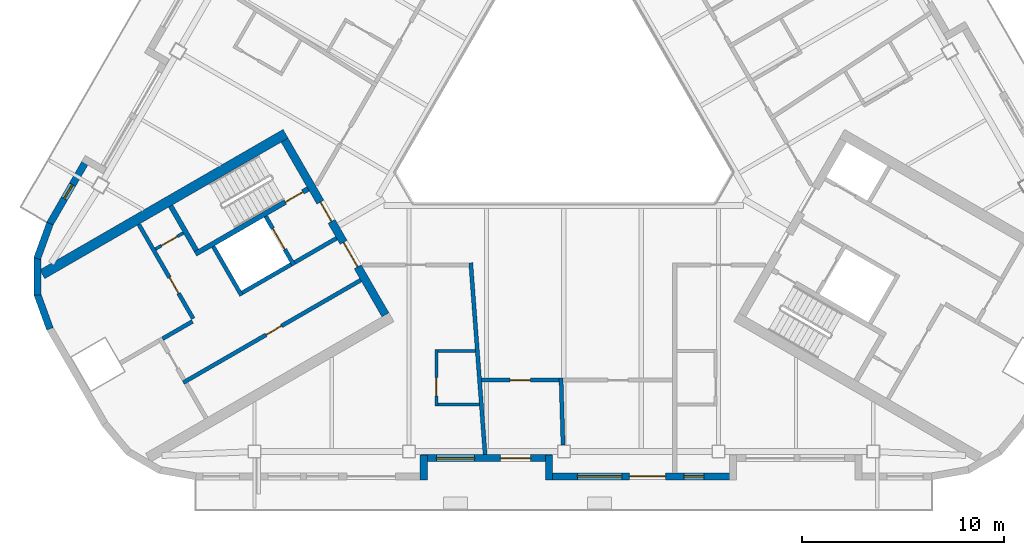
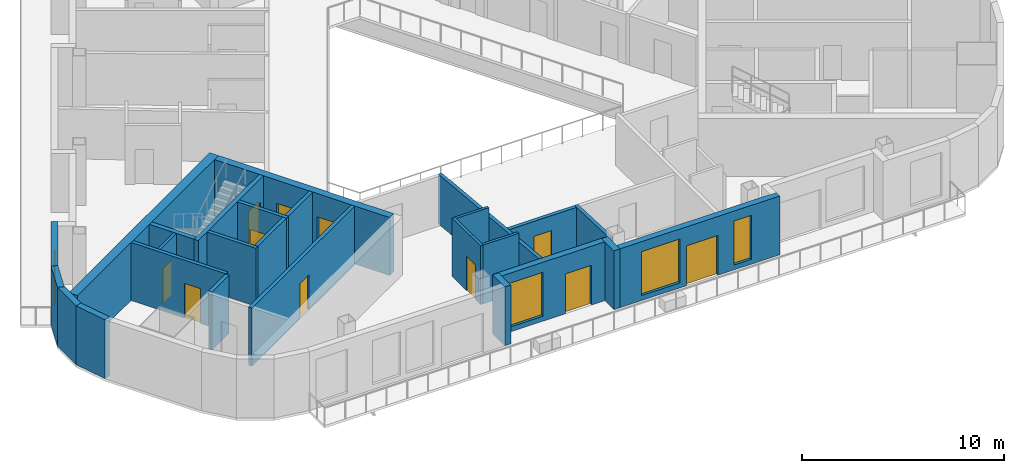
# One storey, part 3 of 14: 26 walls, 11 doors, 4 windows, 15 openings.
"""IFC4 building model written with IfcOpenShell, lengths in metres."""

import ifcopenshell
import ifcopenshell.guid

model = None  # the IFC model being written
_history = None  # IfcOwnerHistory: only IFC2X3 demands one
_inside = {}  # id of a spatial element -> (the spatial element, [elements in it])
_under = {}  # id of a project, library or spatial element -> (it, [spatial elements below it])
_declared = {}  # id of a project -> (the project, [libraries it declares])
_typed = {}  # id of a type object -> (the type object, [elements of that type])
_made_of = {}  # id of a material, layer set ... -> (it, [elements and type objects made of it])


def new_model(schema):
    """Start an empty IFC model of exactly this schema.

    Asked for "IFC4X3", IfcOpenShell would pick the latest addendum, in which some entities
    have other attributes; the version numbers below select the first issue.
    IFC2X3 requires an IfcOwnerHistory on every rooted entity: one is made here for all.
    """
    global model, _history
    if schema == "IFC4X3":
        model = ifcopenshell.file(schema_version=(4, 3, 0, 0))
    else:
        model = ifcopenshell.file(schema=schema)
    _inside.clear()
    _under.clear()
    _declared.clear()
    _typed.clear()
    _made_of.clear()
    _history = None
    if model.schema == "IFC2X3":
        org = make("IfcOrganization", Name="unknown")
        user = make(
            "IfcPersonAndOrganization",
            ThePerson=make("IfcPerson", FamilyName="unknown"),
            TheOrganization=org,
        )
        app = make(
            "IfcApplication",
            ApplicationDeveloper=org,
            Version="unknown",
            ApplicationFullName="unknown",
            ApplicationIdentifier="unknown",
        )
        _history = make(
            "IfcOwnerHistory",
            OwningUser=user,
            OwningApplication=app,
            ChangeAction="ADDED",
            CreationDate=0,
        )
    return model


def make(cls, **values):
    """One entity of the class cls with the attributes given. An attribute that is None is left unset."""
    return model.create_entity(
        cls, **{name: value for name, value in values.items() if value is not None}
    )


def rooted(cls, **values):
    """An entity with a GlobalId (a new one), such as an element, a storey or a relation."""
    return make(cls, GlobalId=ifcopenshell.guid.new(), OwnerHistory=_history, **values)


def si_unit(unit_type, name, prefix=None):
    """IfcSIUnit, for example si_unit("LENGTHUNIT", "METRE", prefix="MILLI")."""
    return make("IfcSIUnit", UnitType=unit_type, Prefix=prefix, Name=name)


def assignment(units):
    """IfcUnitAssignment: the units of a project."""
    return None if units is None else make("IfcUnitAssignment", Units=units)


def point(xyz):
    """IfcCartesianPoint."""
    return None if xyz is None else make("IfcCartesianPoint", Coordinates=xyz)


def direction(xyz):
    """IfcDirection."""
    return None if xyz is None else make("IfcDirection", DirectionRatios=xyz)


def frame(location, z_axis=None, x_axis=None):
    """IfcAxis2Placement3D, a coordinate frame: its origin and axes. An axis left out is left unset."""
    return make(
        "IfcAxis2Placement3D",
        Location=point(location),
        Axis=direction(z_axis),
        RefDirection=direction(x_axis),
    )


def frame_2d(location, x_axis=None):
    """IfcAxis2Placement2D, a coordinate frame in the plane: its origin and x axis."""
    return make(
        "IfcAxis2Placement2D", Location=point(location), RefDirection=direction(x_axis)
    )


def origin():
    """The frame at (0, 0, 0) with its axes left unset."""
    return frame((0.0, 0.0, 0.0))


def place(relative_to, where):
    """IfcLocalPlacement: puts the frame where relative to a parent placement (None: the world)."""
    return make(
        "IfcLocalPlacement", PlacementRelTo=relative_to, RelativePlacement=where
    )


def context(
    kind, dimensions, precision=None, world=None, true_north=None, identifier=None
):
    """IfcGeometricRepresentationContext, for example the 3D "Model" context."""
    return make(
        "IfcGeometricRepresentationContext",
        ContextIdentifier=identifier,
        ContextType=kind,
        CoordinateSpaceDimension=dimensions,
        Precision=precision,
        WorldCoordinateSystem=world,
        TrueNorth=true_north,
    )


def subcontext(parent, identifier, kind, view, scale=None):
    """IfcGeometricRepresentationSubContext, for example "Body" below "Model"."""
    return make(
        "IfcGeometricRepresentationSubContext",
        ContextIdentifier=identifier,
        ContextType=kind,
        ParentContext=parent,
        TargetScale=scale,
        TargetView=view,
    )


def project(units=None, contexts=None):
    """IfcProject with its units and contexts."""
    return rooted(
        "IfcProject",
        Name="project",
        RepresentationContexts=contexts,
        UnitsInContext=assignment(units),
    )


def spatial(cls, under=None, at=None, **own):
    """A site, building, storey or space (cls), placed at a placement, below another one or the project."""
    s = rooted(cls, ObjectPlacement=at, **own)
    if under is not None:
        _under.setdefault(under.id(), (under, []))[1].append(s)
    return s


def profile(cls, at=None, kind="AREA", **sizes):
    """A parametric profile (cls). Its sizes go by their IFC names, for example OverallWidth=200.0."""
    return make(cls, ProfileType=kind, Position=at, **sizes)


def rectangle(**sizes):
    """IfcRectangleProfileDef."""
    return profile("IfcRectangleProfileDef", **sizes)


def extrude(swept, where, along, depth):
    """IfcExtrudedAreaSolid: the profile swept, set in the frame where, extruded along a direction by depth."""
    return make(
        "IfcExtrudedAreaSolid",
        SweptArea=swept,
        Position=where,
        ExtrudedDirection=direction(along),
        Depth=depth,
    )


def shape(context_of_items, identifier, shape_type, items):
    """IfcShapeRepresentation: the items that make up one representation, for example the "Body"."""
    return make(
        "IfcShapeRepresentation",
        ContextOfItems=context_of_items,
        RepresentationIdentifier=identifier,
        RepresentationType=shape_type,
        Items=items,
    )


def material(Name=None, Category=None):
    """IfcMaterial."""
    return make("IfcMaterial", Name=Name, Category=Category)


def layer(
    of_material, thickness, ventilated=None, Name=None, Category=None, Priority=None
):
    """IfcMaterialLayer: one layer of a wall or slab, of a material (None: an air gap)."""
    return make(
        "IfcMaterialLayer",
        Material=of_material,
        LayerThickness=thickness,
        IsVentilated=ventilated,
        Name=Name,
        Category=Category,
        Priority=Priority,
    )


def layer_set(layers, Name=None):
    """IfcMaterialLayerSet."""
    return make("IfcMaterialLayerSet", MaterialLayers=layers, LayerSetName=Name)


def made_of(thing, what):
    """Note that an element or type object is made of a material, layer set ...; save() writes the relation."""
    if what is not None:
        _made_of.setdefault(what.id(), (what, []))[1].append(thing)
    return thing


def type_object(cls, material=None, **own):
    """A type object (cls), such as IfcWallType, which elements share."""
    return made_of(rooted(cls, **own), material)


def element(
    cls,
    number,
    at=None,
    inside=None,
    cuts=None,
    type_object=None,
    material=None,
    context=None,
    identifier="Body",
    shape_type=None,
    held_by="IfcProductDefinitionShape",
    body=None,
    shapes=None,
    **own,
):
    """One element of the class cls, such as IfcWall. Its Tag is "e" and its number.

    at: its placement. inside: the storey or other place that contains it. cuts: it is an
    opening in that element (IfcRelVoidsElement). A single representation is given by context,
    identifier, shape_type and body (its items); several are given by shapes. held_by: the class
    of the entity that holds the representations. save() writes the other relations.
    """
    e = rooted(cls, Tag="e%d" % number, ObjectPlacement=at, **own)
    if body is not None:
        shapes = [shape(context, identifier, shape_type, body)]
    if shapes is not None:
        e.Representation = make(held_by, Representations=shapes)
    if inside is not None:
        _inside.setdefault(inside.id(), (inside, []))[1].append(e)
    if cuts is not None:
        rooted(
            "IfcRelVoidsElement", RelatingBuildingElement=cuts, RelatedOpeningElement=e
        )
    if type_object is not None:
        _typed.setdefault(type_object.id(), (type_object, []))[1].append(e)
    return made_of(e, material)


def fill(opening, filler):
    """IfcRelFillsElement: the door or window that sits in an opening."""
    return rooted(
        "IfcRelFillsElement",
        RelatingOpeningElement=opening,
        RelatedBuildingElement=filler,
    )


def aggregate(whole, parts):
    """IfcRelAggregates: a whole, such as a stair, and the parts it consists of."""
    return rooted("IfcRelAggregates", RelatingObject=whole, RelatedObjects=parts)


def save(model, path):
    """Write the relations noted so far, then the file.

    IfcRelAggregates (storeys below a building ...), IfcRelContainedInSpatialStructure (elements
    in a storey), IfcRelDefinesByType, IfcRelAssociatesMaterial and IfcRelDeclares: one each for
    every whole, place, type object, material and project.
    """
    for whole, parts in _under.values():
        aggregate(whole, parts)
    for where, things in _inside.values():
        rooted(
            "IfcRelContainedInSpatialStructure",
            RelatedElements=things,
            RelatingStructure=where,
        )
    for kind, things in _typed.values():
        rooted("IfcRelDefinesByType", RelatedObjects=things, RelatingType=kind)
    for what, things in _made_of.values():
        rooted("IfcRelAssociatesMaterial", RelatedObjects=things, RelatingMaterial=what)
    for by, libraries in _declared.values():
        rooted("IfcRelDeclares", RelatingContext=by, RelatedDefinitions=libraries)
    model.write(path)


model = new_model("IFC4")

# Units and contexts
model_context = context("Model", 3, precision=1e-05, world=origin(), true_north=direction((0.0, 1.0)))
body_context = subcontext(model_context, "Body", "Model", "MODEL_VIEW")
ifc_project = project(units=[si_unit("LENGTHUNIT", "METRE"), si_unit("AREAUNIT", "SQUARE_METRE"), si_unit("VOLUMEUNIT", "CUBIC_METRE"), si_unit("PLANEANGLEUNIT", "RADIAN"), si_unit("MASSUNIT", "GRAM", prefix="KILO")], contexts=[model_context])

# Site, building, storey
site_placement = place(None, origin())
site = spatial("IfcSite", under=ifc_project, at=site_placement, CompositionType="ELEMENT")
building_placement = place(site_placement, origin())
building = spatial("IfcBuilding", under=site, at=building_placement, Name="Apuvela Tower Hotel", CompositionType="ELEMENT")
storey_placement = place(building_placement, frame((0.0, 0.0, 261.5)))
storey = spatial("IfcBuildingStorey", under=building, at=storey_placement, Name="L64", CompositionType="ELEMENT", Elevation=261.5)

# Wall, openings, doors
ifc_material_1 = material(Name="Concrete C50/60", Category="concrete")
ifc_layer_1 = layer(ifc_material_1, 0.39990234375)
ifc_layer_set_1 = layer_set([ifc_layer_1], Name="COR-WALL-CORE-400")
wall_type_1 = type_object("IfcWallType", Name="COR-WALL-CORE-400", PredefinedType="SHEAR", material=ifc_layer_set_1)
wall_1_placement = place(storey_placement, frame((-13.844970703125, -2.219970703125, 0.0), z_axis=(0.0, 0.0, 1.0), x_axis=(0.500004234368, -0.866022959057, 0.0)))
wall_1 = element("IfcWall", 1, at=wall_1_placement, inside=storey, type_object=wall_type_1, Name="Core wall SW", PredefinedType="SHEAR", context=body_context, shape_type="SweptSolid", body=[
    extrude(rectangle(XDim=10.0, YDim=0.39990234375, at=frame_2d((5.0, 0.0))), origin(), (0.0, 0.0, 1.0), 3.5),
])
opening_1_placement = place(wall_1_placement, frame((3.550048828125, 0.0, 0.0)))
opening_1 = element("IfcOpeningElement", 2, at=opening_1_placement, cuts=wall_1, Name="Opening W-FD", PredefinedType="OPENING", context=body_context, shape_type="SweptSolid", body=[
    extrude(rectangle(XDim=1.10009765625, YDim=2.10009765625, at=frame_2d((0.550048828125, 1.050048828125))), frame((0.0, 0.2099609375, 0.0), z_axis=(0.0, -1.0, 0.0), x_axis=(1.0, 0.0, 0.0)), (0.0, 0.0, 1.0), 0.419921875),
])
opening_2_placement = place(wall_1_placement, frame((5.85009765625, 0.0, 0.0)))
opening_2 = element("IfcOpeningElement", 3, at=opening_2_placement, cuts=wall_1, Name="Opening W-GD", PredefinedType="OPENING", context=body_context, shape_type="SweptSolid", body=[
    extrude(rectangle(XDim=1.39990234375, YDim=2.10009765625, at=frame_2d((0.699951171875, 1.050048828125))), frame((0.0, 0.2099609375, 0.0), z_axis=(0.0, -1.0, 0.0), x_axis=(1.0, 0.0, 0.0)), (0.0, 0.0, 1.0), 0.419921875),
])
ifc_material_2 = material(Name="Steel fire door, powder coated", Category="steel")
door_type_1 = type_object("IfcDoorType", Name="COR-FD-1100", OperationType="NOTDEFINED", PredefinedType="DOOR", material=ifc_material_2)
door_1_placement = place(opening_1_placement, frame((1.10009765625, 0.0, 0.0), z_axis=(0.0, 0.0, 1.0), x_axis=(-1.0, 0.0, 0.0)))
door_1 = element("IfcDoor", 4, at=door_1_placement, inside=storey, type_object=door_type_1, Name="Firefighting lobby door W-FD", OperationType="SINGLE_SWING_LEFT", OverallHeight=2.10009765625, OverallWidth=1.10009765625, PredefinedType="DOOR", context=body_context, shape_type="SweptSolid", body=[
    extrude(rectangle(XDim=1.10009765625, YDim=2.10009765625, at=frame_2d((0.550048828125, 1.050048828125))), frame((0.0, 0.02490234375, 0.0), z_axis=(0.0, -1.0, 0.0), x_axis=(1.0, 0.0, 0.0)), (0.0, 0.0, 1.0), 0.050048828125),
])
fill(opening_1, door_1)
ifc_material_3 = material(Name="Glazed steel fire door", Category="steel")
door_type_2 = type_object("IfcDoorType", Name="COR-GD-1400", OperationType="DOUBLE_DOOR_SINGLE_SWING", PredefinedType="DOOR", material=ifc_material_3)
door_2_placement = place(opening_2_placement, frame((1.39990234375, 0.0, 0.0), z_axis=(0.0, 0.0, 1.0), x_axis=(-1.0, 0.0, 0.0)))
door_2 = element("IfcDoor", 5, at=door_2_placement, inside=storey, type_object=door_type_2, Name="Lift lobby door W-GD", OperationType="DOUBLE_DOOR_SINGLE_SWING", OverallHeight=2.10009765625, OverallWidth=1.39990234375, PredefinedType="DOOR", context=body_context, shape_type="SweptSolid", body=[
    extrude(rectangle(XDim=1.39990234375, YDim=2.10009765625, at=frame_2d((0.699951171875, 1.050048828125))), frame((0.0, 0.02490234375, 0.0), z_axis=(0.0, -1.0, 0.0), x_axis=(1.0, 0.0, 0.0)), (0.0, 0.0, 1.0), 0.050048828125),
])
fill(opening_2, door_2)

# Wall
ifc_layer_2 = layer(ifc_material_1, 0.5)
ifc_layer_set_2 = layer_set([ifc_layer_2], Name="COR-WALL-CORE-500")
wall_type_2 = type_object("IfcWallType", Name="COR-WALL-CORE-500", PredefinedType="SHEAR", material=ifc_layer_set_2)
wall_2_placement = place(storey_placement, frame((-13.796630859375, -1.9033203125, 0.0), z_axis=(0.0, 0.0, 1.0), x_axis=(-0.86602744543, -0.49999646375, 0.0)))
element("IfcWall", 6, at=wall_2_placement, inside=storey, type_object=wall_type_2, Name="Core wall SW", PredefinedType="SHEAR", context=body_context, shape_type="SweptSolid", body=[
    extrude(rectangle(XDim=13.93408203125, YDim=0.5, at=frame_2d((6.967041015625, 0.0))), origin(), (0.0, 0.0, 1.0), 3.5),
])

# Wall, opening, door
ifc_material_4 = material(Name="Blockwork 150 mm plastered", Category="masonry")
ifc_layer_3 = layer(ifc_material_4, 0.14990234375)
ifc_layer_set_3 = layer_set([ifc_layer_3], Name="COR-WALL-PART-150")
wall_type_3 = type_object("IfcWallType", Name="COR-WALL-PART-150", PredefinedType="PARTITIONING", material=ifc_layer_set_3)
wall_3_placement = place(storey_placement, frame((-18.866455078125, -6.822265625, 0.0), z_axis=(0.0, 0.0, 1.0), x_axis=(-0.866028054938, -0.499995408039, 0.0)))
wall_3 = element("IfcWall", 7, at=wall_3_placement, inside=storey, type_object=wall_type_3, Name="Partition SW", PredefinedType="PARTITIONING", context=body_context, shape_type="SweptSolid", body=[
    extrude(rectangle(XDim=1.60009765625, YDim=0.14990234375, at=frame_2d((0.800048828125, 0.0))), origin(), (0.0, 0.0, 1.0), 3.5),
])
opening_3_placement = place(wall_3_placement, frame((0.35009765625, 0.0, 0.0)))
opening_3 = element("IfcOpeningElement", 8, at=opening_3_placement, cuts=wall_3, Name="Opening W-RD", PredefinedType="OPENING", context=body_context, shape_type="SweptSolid", body=[
    extrude(rectangle(XDim=0.89990234375, YDim=2.10009765625, at=frame_2d((0.449951171875, 1.050048828125))), frame((0.0, 0.0849609375, 0.0), z_axis=(0.0, -1.0, 0.0), x_axis=(1.0, 0.0, 0.0)), (0.0, 0.0, 1.0), 0.169921875),
])
ifc_material_5 = material(Name="Steel access door, powder coated", Category="steel")
door_type_3 = type_object("IfcDoorType", Name="COR-RD-900", OperationType="NOTDEFINED", PredefinedType="DOOR", material=ifc_material_5)
door_3_placement = place(opening_3_placement, frame((0.89990234375, 0.0, 0.0), z_axis=(0.0, 0.0, 1.0), x_axis=(-1.0, 0.0, 0.0)))
door_3 = element("IfcDoor", 9, at=door_3_placement, inside=storey, type_object=door_type_3, Name="Riser door W-RD", OperationType="SINGLE_SWING_RIGHT", OverallHeight=2.10009765625, OverallWidth=0.89990234375, PredefinedType="DOOR", context=body_context, shape_type="SweptSolid", body=[
    extrude(rectangle(XDim=0.89990234375, YDim=2.10009765625, at=frame_2d((0.449951171875, 1.050048828125))), frame((0.0, 0.02490234375, 0.0), z_axis=(0.0, -1.0, 0.0), x_axis=(1.0, 0.0, 0.0)), (0.0, 0.0, 1.0), 0.050048828125),
])
fill(opening_3, door_3)

ifc_material_6 = material(Name="Blockwork 200 mm plastered", Category="masonry")
ifc_layer_4 = layer(ifc_material_6, 0.199951171875)
ifc_layer_set_4 = layer_set([ifc_layer_4], Name="COR-WALL-PART-200")
wall_type_4 = type_object("IfcWallType", Name="COR-WALL-PART-200", PredefinedType="PARTITIONING", material=ifc_layer_set_4)
wall_4_placement = place(storey_placement, frame((-21.076171875, -6.39501953125, 0.0), z_axis=(0.0, 0.0, 1.0), x_axis=(0.50001468107, -0.866016927499, 0.0)))
wall_4 = element("IfcWall", 10, at=wall_4_placement, inside=storey, type_object=wall_type_4, Name="Partition SW", PredefinedType="PARTITIONING", context=body_context, shape_type="SweptSolid", body=[
    extrude(rectangle(XDim=5.399658203125, YDim=0.199951171875, at=frame_2d((2.69970703125, 0.0))), origin(), (0.0, 0.0, 1.0), 3.5),
])
opening_4_placement = place(wall_4_placement, frame((3.050048828125, 0.0, 0.0)))
opening_4 = element("IfcOpeningElement", 11, at=opening_4_placement, cuts=wall_4, Name="Opening W-RS1", PredefinedType="OPENING", context=body_context, shape_type="SweptSolid", body=[
    extrude(rectangle(XDim=0.89990234375, YDim=2.10009765625, at=frame_2d((0.449951171875, 1.050048828125))), frame((0.0, 0.10986328125, 0.0), z_axis=(0.0, -1.0, 0.0), x_axis=(1.0, 0.0, 0.0)), (0.0, 0.0, 1.0), 0.219970703125),
])
door_type_4 = type_object("IfcDoorType", Name="COR-DR-900", OperationType="NOTDEFINED", PredefinedType="DOOR", material=ifc_material_2)
door_4_placement = place(opening_4_placement, frame((0.89990234375, 0.0, 0.0), z_axis=(0.0, 0.0, 1.0), x_axis=(-1.0, 0.0, 0.0)))
door_4 = element("IfcDoor", 12, at=door_4_placement, inside=storey, type_object=door_type_4, Name="Store door W-RS1", OperationType="SINGLE_SWING_LEFT", OverallHeight=2.10009765625, OverallWidth=0.89990234375, PredefinedType="DOOR", context=body_context, shape_type="SweptSolid", body=[
    extrude(rectangle(XDim=0.89990234375, YDim=2.10009765625, at=frame_2d((0.449951171875, 1.050048828125))), frame((0.0, 0.02490234375, 0.0), z_axis=(0.0, -1.0, 0.0), x_axis=(1.0, 0.0, 0.0)), (0.0, 0.0, 1.0), 0.050048828125),
])
fill(opening_4, door_4)

# Wall
ifc_layer_5 = layer(ifc_material_1, 0.199951171875)
ifc_layer_set_5 = layer_set([ifc_layer_5], Name="COR-WALL-SHAFT-200")
wall_type_5 = type_object("IfcWallType", Name="COR-WALL-SHAFT-200", PredefinedType="SHEAR", material=ifc_layer_set_5)
wall_5_placement = place(storey_placement, frame((-17.38134765625, -7.49462890625, 0.0), z_axis=(0.0, 0.0, 1.0), x_axis=(0.500011755427, -0.866018616679, 0.0)))
element("IfcWall", 13, at=wall_5_placement, inside=storey, type_object=wall_type_5, Name="Shaft wall SW", PredefinedType="SHEAR", context=body_context, shape_type="SweptSolid", body=[
    extrude(rectangle(XDim=2.80029296875, YDim=0.199951171875, at=frame_2d((1.400146484375, 0.0))), origin(), (0.0, 0.0, 1.0), 3.5),
])

# Wall, opening, door
wall_6_placement = place(storey_placement, frame((-14.783203125, -5.99462890625, 0.0), z_axis=(0.0, 0.0, 1.0), x_axis=(0.49994636267, -0.866056369097, 0.0)))
wall_6 = element("IfcWall", 14, at=wall_6_placement, inside=storey, type_object=wall_type_5, Name="Shaft wall SW", PredefinedType="SHEAR", context=body_context, shape_type="SweptSolid", body=[
    extrude(rectangle(XDim=2.800048828125, YDim=0.199951171875, at=frame_2d((1.39990234375, 0.0))), origin(), (0.0, 0.0, 1.0), 3.5),
])
opening_5_placement = place(wall_6_placement, frame((0.699951171875, 0.0, 0.0)))
opening_5 = element("IfcOpeningElement", 15, at=opening_5_placement, cuts=wall_6, Name="Opening W-LD-FS2", PredefinedType="OPENING", context=body_context, shape_type="SweptSolid", body=[
    extrude(rectangle(XDim=1.199951171875, YDim=2.10009765625, at=frame_2d((0.60009765625, 1.050048828125))), frame((0.0, 0.10986328125, 0.0), z_axis=(0.0, -1.0, 0.0), x_axis=(1.0, 0.0, 0.0)), (0.0, 0.0, 1.0), 0.219970703125),
])
ifc_material_7 = material(Name="Stainless steel lift landing door", Category="steel")
door_type_5 = type_object("IfcDoorType", Name="COR-LD-1200", OperationType="DOUBLE_DOOR_SLIDING", PredefinedType="DOOR", material=ifc_material_7)
door_5_placement = place(opening_5_placement, origin())
door_5 = element("IfcDoor", 16, at=door_5_placement, inside=storey, type_object=door_type_5, Name="Lift landing door W-LD-FS2", OperationType="DOUBLE_DOOR_SLIDING", OverallHeight=2.10009765625, OverallWidth=1.199951171875, PredefinedType="DOOR", context=body_context, shape_type="SweptSolid", body=[
    extrude(rectangle(XDim=1.199951171875, YDim=2.10009765625, at=frame_2d((0.60009765625, 1.050048828125))), frame((0.0, 0.02490234375, 0.0), z_axis=(0.0, -1.0, 0.0), x_axis=(1.0, 0.0, 0.0)), (0.0, 0.0, 1.0), 0.050048828125),
])
fill(opening_5, door_5)

# Walls
wall_7_placement = place(storey_placement, frame((-13.519775390625, -8.383056640625, 0.0), z_axis=(0.0, 0.0, 1.0), x_axis=(-0.866034573852, -0.49998411664, 0.0)))
element("IfcWall", 17, at=wall_7_placement, inside=storey, type_object=wall_type_5, Name="Shaft wall SW", PredefinedType="SHEAR", context=body_context, shape_type="SweptSolid", body=[
    extrude(rectangle(XDim=2.7998046875, YDim=0.199951171875, at=frame_2d((1.39990234375, 0.0))), origin(), (0.0, 0.0, 1.0), 3.5),
])
wall_8_placement = place(storey_placement, frame((-11.26806640625, -7.0830078125, 0.0), z_axis=(0.0, 0.0, 1.0), x_axis=(-0.866050077142, -0.499957262057, 0.0)))
element("IfcWall", 18, at=wall_8_placement, inside=storey, type_object=wall_type_5, Name="Shaft wall SW", PredefinedType="SHEAR", context=body_context, shape_type="SweptSolid", body=[
    extrude(rectangle(XDim=2.400146484375, YDim=0.199951171875, at=frame_2d((1.2001953125, 0.0))), origin(), (0.0, 0.0, 1.0), 3.5),
])

# Wall, opening, door
wall_9_placement = place(storey_placement, frame((-10.068115234375, -9.16162109375, 0.0), z_axis=(0.0, 0.0, 1.0), x_axis=(-0.866032725843, -0.499987317609, 0.0)))
wall_9 = element("IfcWall", 19, at=wall_9_placement, inside=storey, type_object=wall_type_5, Name="Shaft wall SW", PredefinedType="SHEAR", context=body_context, shape_type="SweptSolid", body=[
    extrude(rectangle(XDim=10.159912109375, YDim=0.199951171875, at=frame_2d((5.080078125, 0.0))), origin(), (0.0, 0.0, 1.0), 3.5),
])
opening_6_placement = place(wall_9_placement, frame((4.530029296875, 0.0, 0.0)))
opening_6 = element("IfcOpeningElement", 20, at=opening_6_placement, cuts=wall_9, Name="Opening W-RE1", PredefinedType="OPENING", context=body_context, shape_type="SweptSolid", body=[
    extrude(rectangle(XDim=0.89990234375, YDim=2.10009765625, at=frame_2d((0.449951171875, 1.050048828125))), frame((0.0, 0.10986328125, 0.0), z_axis=(0.0, -1.0, 0.0), x_axis=(1.0, 0.0, 0.0)), (0.0, 0.0, 1.0), 0.219970703125),
])
door_6_placement = place(opening_6_placement, origin())
door_6 = element("IfcDoor", 21, at=door_6_placement, inside=storey, type_object=door_type_4, Name="Store door W-RE1", OperationType="SINGLE_SWING_LEFT", OverallHeight=2.10009765625, OverallWidth=0.89990234375, PredefinedType="DOOR", context=body_context, shape_type="SweptSolid", body=[
    extrude(rectangle(XDim=0.89990234375, YDim=2.10009765625, at=frame_2d((0.449951171875, 1.050048828125))), frame((0.0, 0.02490234375, 0.0), z_axis=(0.0, -1.0, 0.0), x_axis=(1.0, 0.0, 0.0)), (0.0, 0.0, 1.0), 0.050048828125),
])
fill(opening_6, door_6)

# Wall
wall_10_placement = place(storey_placement, frame((-18.412841796875, -11.2080078125, 0.0), z_axis=(0.0, 0.0, 1.0), x_axis=(-0.866038183914, -0.499977863513, 0.0)))
element("IfcWall", 22, at=wall_10_placement, inside=storey, type_object=wall_type_5, Name="Shaft wall SW", PredefinedType="SHEAR", context=body_context, shape_type="SweptSolid", body=[
    extrude(rectangle(XDim=1.7099609375, YDim=0.199951171875, at=frame_2d((0.85498046875, 0.0))), origin(), (0.0, 0.0, 1.0), 3.5),
])

# Wall, opening, door
ifc_layer_6 = layer(ifc_material_1, 0.25)
ifc_layer_set_6 = layer_set([ifc_layer_6], Name="COR-WALL-STAIR-250")
wall_type_6 = type_object("IfcWallType", Name="COR-WALL-STAIR-250", PredefinedType="SHEAR", material=ifc_layer_set_6)
wall_11_placement = place(storey_placement, frame((-12.6806640625, -4.636474609375, 0.0), z_axis=(0.0, 0.0, 1.0), x_axis=(-0.866021702275, -0.500006411147, 0.0)))
wall_11 = element("IfcWall", 23, at=wall_11_placement, inside=storey, type_object=wall_type_6, Name="Stair wall SW", PredefinedType="SHEAR", context=body_context, shape_type="SweptSolid", body=[
    extrude(rectangle(XDim=6.4501953125, YDim=0.25, at=frame_2d((3.22509765625, 0.0))), origin(), (0.0, 0.0, 1.0), 3.5),
])
opening_7_placement = place(wall_11_placement, frame((0.300048828125, 0.0, 0.0)))
opening_7 = element("IfcOpeningElement", 24, at=opening_7_placement, cuts=wall_11, Name="Opening W-SD", PredefinedType="OPENING", context=body_context, shape_type="SweptSolid", body=[
    extrude(rectangle(XDim=1.0, YDim=2.10009765625, at=frame_2d((0.5, 1.050048828125))), frame((0.0, 0.135009765625, 0.0), z_axis=(0.0, -1.0, 0.0), x_axis=(1.0, 0.0, 0.0)), (0.0, 0.0, 1.0), 0.27001953125),
])
door_type_6 = type_object("IfcDoorType", Name="COR-SD-1000", OperationType="NOTDEFINED", PredefinedType="DOOR", material=ifc_material_2)
door_7_placement = place(opening_7_placement, frame((1.0, 0.0, 0.0), z_axis=(0.0, 0.0, 1.0), x_axis=(-1.0, 0.0, 0.0)))
door_7 = element("IfcDoor", 25, at=door_7_placement, inside=storey, type_object=door_type_6, Name="Stair door W-SD", OperationType="SINGLE_SWING_LEFT", OverallHeight=2.10009765625, OverallWidth=1.0, PredefinedType="DOOR", context=body_context, shape_type="SweptSolid", body=[
    extrude(rectangle(XDim=1.0, YDim=2.10009765625, at=frame_2d((0.5, 1.050048828125))), frame((0.0, 0.02490234375, 0.0), z_axis=(0.0, -1.0, 0.0), x_axis=(1.0, 0.0, 0.0)), (0.0, 0.0, 1.0), 0.050048828125),
])
fill(opening_7, door_7)

# Wall
wall_12_placement = place(storey_placement, frame((-19.49560546875, -5.482421875, 0.0), z_axis=(0.0, 0.0, 1.0), x_axis=(0.499990435942, -0.866030925526, 0.0)))
element("IfcWall", 26, at=wall_12_placement, inside=storey, type_object=wall_type_6, Name="Stair wall SW", PredefinedType="SHEAR", context=body_context, shape_type="SweptSolid", body=[
    extrude(rectangle(XDim=2.5498046875, YDim=0.25, at=frame_2d((1.27490234375, 0.0))), origin(), (0.0, 0.0, 1.0), 3.5),
])

# Wall, opening, window
ifc_material_8 = material(Name="Concrete C40/50, dark pigmented precast panel", Category="concrete")
ifc_layer_7 = layer(ifc_material_8, 0.35009765625)
ifc_layer_set_7 = layer_set([ifc_layer_7], Name="ENV-WALL-350")
wall_type_7 = type_object("IfcWallType", Name="ENV-WALL-350", PredefinedType="SOLIDWALL", material=ifc_layer_set_7)
wall_13_placement = place(storey_placement, frame((-23.5791015625, -3.064697265625, 0.0), z_axis=(0.0, 0.0, 1.0), x_axis=(-0.500048109927, -0.865997625723, 0.0)))
wall_13 = element("IfcWall", 27, at=wall_13_placement, inside=storey, type_object=wall_type_7, Name="External wall L64-09", PredefinedType="SOLIDWALL", context=body_context, shape_type="SweptSolid", body=[
    extrude(rectangle(XDim=3.82861328125, YDim=0.35009765625, at=frame_2d((1.914306640625, 0.0))), origin(), (0.0, 0.0, 1.0), 3.550048828125),
])
opening_8_placement = place(wall_13_placement, frame((1.57470703125, 0.0, 0.300048828125)))
opening_8 = element("IfcOpeningElement", 28, at=opening_8_placement, cuts=wall_13, Name="Opening WN08", PredefinedType="OPENING", context=body_context, shape_type="SweptSolid", body=[
    extrude(rectangle(XDim=0.800048828125, YDim=2.64990234375, at=frame_2d((0.39990234375, 1.324951171875))), frame((0.0, 0.18505859375, 0.0), z_axis=(0.0, -1.0, 0.0), x_axis=(1.0, 0.0, 0.0)), (0.0, 0.0, 1.0), 0.3701171875),
])
ifc_material_9 = material(Name="Glass, dark tinted laminated insulated glazing unit", Category="glass")
window_type_1 = type_object("IfcWindowType", Name="ENV-WIN-800x2650", PartitioningType="SINGLE_PANEL", PredefinedType="WINDOW", material=ifc_material_9)
window_1_placement = place(opening_8_placement, origin())
window_1 = element("IfcWindow", 29, at=window_1_placement, inside=storey, type_object=window_type_1, Name="Window WN08", OverallHeight=2.64990234375, OverallWidth=0.800048828125, PartitioningType="SINGLE_PANEL", PredefinedType="WINDOW", context=body_context, shape_type="SweptSolid", body=[
    extrude(rectangle(XDim=0.800048828125, YDim=2.64990234375, at=frame_2d((0.39990234375, 1.324951171875))), frame((0.0, 0.030029296875, 0.0), z_axis=(0.0, -1.0, 0.0), x_axis=(1.0, 0.0, 0.0)), (0.0, 0.0, 1.0), 0.06005859375),
])
fill(opening_8, window_1)

# Walls
for number, where, z_axis, x_axis, name in (
    (30, (-25.480712890625, -6.3525390625, 0.0), (0.0, 0.0, 1.0), (-0.341933271996, -0.939724234817, 0.0), "External wall L64-10"),
    (31, (-26.1044921875, -8.035888671875, 0.0), (0.0, 0.0, 1.0), (0.0, -1.0, 0.0), "External wall L64-11"),
):
    element("IfcWall", number, at=place(storey_placement, frame(where, z_axis=z_axis, x_axis=x_axis)), inside=storey, type_object=wall_type_7, Name=name, PredefinedType="SOLIDWALL", context=body_context, shape_type="SweptSolid", body=[
        extrude(rectangle(XDim=1.85498046875, YDim=0.35009765625, at=frame_2d((0.927490234375, 0.0))), origin(), (0.0, 0.0, 1.0), 3.550048828125),
    ])
wall_14_placement = place(storey_placement, frame((-26.114990234375, -9.830810546875, 0.0), z_axis=(0.0, 0.0, 1.0), x_axis=(0.341890986265, -0.93973962006, 0.0)))
element("IfcWall", 32, at=wall_14_placement, inside=storey, type_object=wall_type_7, Name="External wall L64-12", PredefinedType="SOLIDWALL", context=body_context, shape_type="SweptSolid", body=[
    extrude(rectangle(XDim=1.855224609375, YDim=0.35009765625, at=frame_2d((0.927734375, 0.0))), origin(), (0.0, 0.0, 1.0), 3.550048828125),
])
wall_15_placement = place(storey_placement, frame((-6.94677734375, -19.06298828125, 0.0), z_axis=(0.0, 0.0, 1.0), x_axis=(0.0, 1.0, 0.0)))
element("IfcWall", 33, at=wall_15_placement, inside=storey, type_object=wall_type_7, Name="External wall L64-18", PredefinedType="SOLIDWALL", context=body_context, shape_type="SweptSolid", body=[
    extrude(rectangle(XDim=1.219970703125, YDim=0.35009765625, at=frame_2d((0.60986328125, 0.0))), origin(), (0.0, 0.0, 1.0), 3.550048828125),
])

# Wall, openings, door, window
wall_16_placement = place(storey_placement, frame((-7.091796875, -17.98779296875, 0.0), z_axis=(0.0, 0.0, 1.0), x_axis=(1.0, 0.0, 0.0)))
wall_16 = element("IfcWall", 34, at=wall_16_placement, inside=storey, type_object=wall_type_7, Name="External wall L64-19", PredefinedType="SOLIDWALL", context=body_context, shape_type="SweptSolid", body=[
    extrude(rectangle(XDim=6.51171875, YDim=0.35009765625, at=frame_2d((3.255859375, 0.0))), origin(), (0.0, 0.0, 1.0), 3.550048828125),
])
opening_9_placement = place(wall_16_placement, frame((0.77001953125, 0.0, 0.300048828125)))
opening_9 = element("IfcOpeningElement", 35, at=opening_9_placement, cuts=wall_16, Name="Opening WN19", PredefinedType="OPENING", context=body_context, shape_type="SweptSolid", body=[
    extrude(rectangle(XDim=1.89990234375, YDim=2.64990234375, at=frame_2d((0.949951171875, 1.324951171875))), frame((0.0, 0.18505859375, 0.0), z_axis=(0.0, -1.0, 0.0), x_axis=(1.0, 0.0, 0.0)), (0.0, 0.0, 1.0), 0.3701171875),
])
opening_10_placement = place(wall_16_placement, frame((3.93994140625, 0.0, 0.0)))
opening_10 = element("IfcOpeningElement", 36, at=opening_10_placement, cuts=wall_16, Name="Opening BD15", PredefinedType="OPENING", context=body_context, shape_type="SweptSolid", body=[
    extrude(rectangle(XDim=1.5, YDim=2.39990234375, at=frame_2d((0.75, 1.199951171875))), frame((0.0, 0.18505859375, 0.0), z_axis=(0.0, -1.0, 0.0), x_axis=(1.0, 0.0, 0.0)), (0.0, 0.0, 1.0), 0.3701171875),
])
ifc_material_10 = material(Name="Aluminium 6063-T6, dark bronze anodised frame with dark tinted laminated glass", Category="aluminium")
door_type_7 = type_object("IfcDoorType", Name="ENV-DOOR-BALCONY-1500x2400", OperationType="SLIDING_TO_LEFT", PredefinedType="DOOR", material=ifc_material_10)
door_8_placement = place(opening_10_placement, frame((1.5, 0.0, 0.0), z_axis=(0.0, 0.0, 1.0), x_axis=(-1.0, 0.0, 0.0)))
door_8 = element("IfcDoor", 37, at=door_8_placement, inside=storey, type_object=door_type_7, Name="Balcony door BD15", OperationType="SLIDING_TO_LEFT", OverallHeight=2.39990234375, OverallWidth=1.5, PredefinedType="DOOR", context=body_context, shape_type="SweptSolid", body=[
    extrude(rectangle(XDim=1.5, YDim=2.39990234375, at=frame_2d((0.75, 1.199951171875))), frame((0.0, 0.02490234375, 0.0), z_axis=(0.0, -1.0, 0.0), x_axis=(1.0, 0.0, 0.0)), (0.0, 0.0, 1.0), 0.050048828125),
])
fill(opening_10, door_8)
window_type_2 = type_object("IfcWindowType", Name="ENV-WIN-1900x2650", PartitioningType="SINGLE_PANEL", PredefinedType="WINDOW", material=ifc_material_9)
window_2_placement = place(opening_9_placement, origin())
window_2 = element("IfcWindow", 38, at=window_2_placement, inside=storey, type_object=window_type_2, Name="Window WN19", OverallHeight=2.64990234375, OverallWidth=1.89990234375, PartitioningType="SINGLE_PANEL", PredefinedType="WINDOW", context=body_context, shape_type="SweptSolid", body=[
    extrude(rectangle(XDim=1.89990234375, YDim=2.64990234375, at=frame_2d((0.949951171875, 1.324951171875))), frame((0.0, 0.030029296875, 0.0), z_axis=(0.0, -1.0, 0.0), x_axis=(1.0, 0.0, 0.0)), (0.0, 0.0, 1.0), 0.06005859375),
])
fill(opening_9, window_2)

# Wall
wall_17_placement = place(storey_placement, frame((-0.72509765625, -17.843017578125, 0.0), z_axis=(0.0, 0.0, 1.0), x_axis=(0.0, -1.0, 0.0)))
element("IfcWall", 39, at=wall_17_placement, inside=storey, type_object=wall_type_7, Name="External wall L64-20", PredefinedType="SOLIDWALL", context=body_context, shape_type="SweptSolid", body=[
    extrude(rectangle(XDim=1.219970703125, YDim=0.35009765625, at=frame_2d((0.60986328125, 0.0))), origin(), (0.0, 0.0, 1.0), 3.550048828125),
])

# Wall, openings, door, windows
wall_18_placement = place(storey_placement, frame((-0.89990234375, -18.887939453125, 0.0), z_axis=(0.0, 0.0, 1.0), x_axis=(1.0, 0.0, 0.0)))
wall_18 = element("IfcWall", 40, at=wall_18_placement, inside=storey, type_object=wall_type_7, Name="External wall L64-21", PredefinedType="SOLIDWALL", context=body_context, shape_type="SweptSolid", body=[
    extrude(rectangle(XDim=9.4716796875, YDim=0.35009765625, at=frame_2d((4.73583984375, 0.0))), origin(), (0.0, 0.0, 1.0), 3.550048828125),
])
opening_11_placement = place(wall_18_placement, frame((4.150390625, 0.0, 0.0)))
opening_11 = element("IfcOpeningElement", 41, at=opening_11_placement, cuts=wall_18, Name="Opening BD18", PredefinedType="OPENING", context=body_context, shape_type="SweptSolid", body=[
    extrude(rectangle(XDim=1.800048828125, YDim=2.39990234375, at=frame_2d((0.89990234375, 1.199951171875))), frame((0.0, 0.18505859375, 0.0), z_axis=(0.0, -1.0, 0.0), x_axis=(1.0, 0.0, 0.0)), (0.0, 0.0, 1.0), 0.3701171875),
])
opening_12_placement = place(wall_18_placement, frame((1.5751953125, 0.0, 0.300048828125)))
opening_12 = element("IfcOpeningElement", 42, at=opening_12_placement, cuts=wall_18, Name="Opening WN22", PredefinedType="OPENING", context=body_context, shape_type="SweptSolid", body=[
    extrude(rectangle(XDim=2.199951171875, YDim=2.64990234375, at=frame_2d((1.10009765625, 1.324951171875))), frame((0.0, 0.18505859375, 0.0), z_axis=(0.0, -1.0, 0.0), x_axis=(1.0, 0.0, 0.0)), (0.0, 0.0, 1.0), 0.3701171875),
])
opening_13_placement = place(wall_18_placement, frame((6.849609375, 0.0, 0.300048828125)))
opening_13 = element("IfcOpeningElement", 43, at=opening_13_placement, cuts=wall_18, Name="Opening WN10", PredefinedType="OPENING", context=body_context, shape_type="SweptSolid", body=[
    extrude(rectangle(XDim=1.0, YDim=2.64990234375, at=frame_2d((0.5, 1.324951171875))), frame((0.0, 0.18505859375, 0.0), z_axis=(0.0, -1.0, 0.0), x_axis=(1.0, 0.0, 0.0)), (0.0, 0.0, 1.0), 0.3701171875),
])
door_type_8 = type_object("IfcDoorType", Name="ENV-DOOR-BALCONY-1800x2400", OperationType="SLIDING_TO_LEFT", PredefinedType="DOOR", material=ifc_material_10)
door_9_placement = place(opening_11_placement, frame((1.800048828125, 0.0, 0.0), z_axis=(0.0, 0.0, 1.0), x_axis=(-1.0, 0.0, 0.0)))
door_9 = element("IfcDoor", 44, at=door_9_placement, inside=storey, type_object=door_type_8, Name="Balcony door BD18", OperationType="SLIDING_TO_LEFT", OverallHeight=2.39990234375, OverallWidth=1.800048828125, PredefinedType="DOOR", context=body_context, shape_type="SweptSolid", body=[
    extrude(rectangle(XDim=1.800048828125, YDim=2.39990234375, at=frame_2d((0.89990234375, 1.199951171875))), frame((0.0, 0.02490234375, 0.0), z_axis=(0.0, -1.0, 0.0), x_axis=(1.0, 0.0, 0.0)), (0.0, 0.0, 1.0), 0.050048828125),
])
fill(opening_11, door_9)
window_type_3 = type_object("IfcWindowType", Name="ENV-WIN-1000x2650", PartitioningType="SINGLE_PANEL", PredefinedType="WINDOW", material=ifc_material_9)
window_3_placement = place(opening_13_placement, origin())
window_3 = element("IfcWindow", 45, at=window_3_placement, inside=storey, type_object=window_type_3, Name="Window WN10", OverallHeight=2.64990234375, OverallWidth=1.0, PartitioningType="SINGLE_PANEL", PredefinedType="WINDOW", context=body_context, shape_type="SweptSolid", body=[
    extrude(rectangle(XDim=1.0, YDim=2.64990234375, at=frame_2d((0.5, 1.324951171875))), frame((0.0, 0.030029296875, 0.0), z_axis=(0.0, -1.0, 0.0), x_axis=(1.0, 0.0, 0.0)), (0.0, 0.0, 1.0), 0.06005859375),
])
fill(opening_13, window_3)
window_type_4 = type_object("IfcWindowType", Name="ENV-WIN-2200x2650", PartitioningType="SINGLE_PANEL", PredefinedType="WINDOW", material=ifc_material_9)
window_4_placement = place(opening_12_placement, origin())
window_4 = element("IfcWindow", 46, at=window_4_placement, inside=storey, type_object=window_type_4, Name="Window WN22", OverallHeight=2.64990234375, OverallWidth=2.199951171875, PartitioningType="SINGLE_PANEL", PredefinedType="WINDOW", context=body_context, shape_type="SweptSolid", body=[
    extrude(rectangle(XDim=2.199951171875, YDim=2.64990234375, at=frame_2d((1.10009765625, 1.324951171875))), frame((0.0, 0.030029296875, 0.0), z_axis=(0.0, -1.0, 0.0), x_axis=(1.0, 0.0, 0.0)), (0.0, 0.0, 1.0), 0.06005859375),
])
fill(opening_12, window_4)

# Walls
ifc_material_11 = material(Name="Gypsum board partition on twin steel stud", Category="steel")
ifc_layer_8 = layer(ifc_material_11, 0.199951171875)
ifc_layer_set_8 = layer_set([ifc_layer_8], Name="GST-PW1")
wall_type_8 = type_object("IfcWallType", Name="GST-PW1", PredefinedType="PARTITIONING", material=ifc_layer_set_8)
wall_19_placement = place(storey_placement, frame((-3.9033203125, -17.81298828125, 0.0), z_axis=(0.0, 0.0, 1.0), x_axis=(-0.074602257677, 0.997213368918, 0.0)))
element("IfcWall", 47, at=wall_19_placement, inside=storey, type_object=wall_type_8, Name="L64 partition 01", PredefinedType="PARTITIONING", context=body_context, shape_type="SweptSolid", body=[
    extrude(rectangle(XDim=9.53955078125, YDim=0.199951171875, at=frame_2d((4.769775390625, 0.0))), origin(), (0.0, 0.0, 1.0), 3.0),
])
wall_20_placement = place(storey_placement, frame((-0.040283203125, -17.337890625, 0.0), z_axis=(0.0, 0.0, 1.0), x_axis=(-0.029431403757, 0.999566802406, 0.0)))
element("IfcWall", 48, at=wall_20_placement, inside=storey, type_object=wall_type_8, Name="L64 partition 02", PredefinedType="PARTITIONING", context=body_context, shape_type="SweptSolid", body=[
    extrude(rectangle(XDim=3.326416015625, YDim=0.199951171875, at=frame_2d((1.6630859375, 0.0))), origin(), (0.0, 0.0, 1.0), 3.0),
])

# Wall, opening, door
ifc_material_12 = material(Name="Gypsum board corridor wall on twin steel stud, acoustic", Category="steel")
ifc_layer_9 = layer(ifc_material_12, 0.199951171875)
ifc_layer_set_9 = layer_set([ifc_layer_9], Name="GST-PW2")
wall_type_9 = type_object("IfcWallType", Name="GST-PW2", PredefinedType="PARTITIONING", material=ifc_layer_set_9)
wall_21_placement = place(storey_placement, frame((-0.235107421875, -14.11279296875, 0.0), z_axis=(0.0, 0.0, 1.0), x_axis=(-1.0, 0.0, 0.0)))
wall_21 = element("IfcWall", 49, at=wall_21_placement, inside=storey, type_object=wall_type_9, Name="L64 partition 15", PredefinedType="PARTITIONING", context=body_context, shape_type="SweptSolid", body=[
    extrude(rectangle(XDim=3.8447265625, YDim=0.199951171875, at=frame_2d((1.92236328125, 0.0))), origin(), (0.0, 0.0, 1.0), 3.0),
])
opening_14_placement = place(wall_21_placement, frame((1.42236328125, 0.0, 0.0)))
opening_14 = element("IfcOpeningElement", 50, at=opening_14_placement, cuts=wall_21, Name="Opening GD25-03", PredefinedType="OPENING", context=body_context, shape_type="SweptSolid", body=[
    extrude(rectangle(XDim=1.0, YDim=2.10009765625, at=frame_2d((0.5, 1.050048828125))), frame((0.0, 0.10986328125, 0.0), z_axis=(0.0, -1.0, 0.0), x_axis=(1.0, 0.0, 0.0)), (0.0, 0.0, 1.0), 0.219970703125),
])
ifc_material_13 = material(Name="Timber door leaf in steel frame", Category="steel")
door_type_9 = type_object("IfcDoorType", Name="GST-D1", OperationType="NOTDEFINED", PredefinedType="DOOR", material=ifc_material_13)
door_10_placement = place(opening_14_placement, origin())
door_10 = element("IfcDoor", 51, at=door_10_placement, inside=storey, type_object=door_type_9, Name="Door L64-03", OperationType="SINGLE_SWING_LEFT", OverallHeight=2.10009765625, OverallWidth=1.0, PredefinedType="DOOR", context=body_context, shape_type="SweptSolid", body=[
    extrude(rectangle(XDim=1.0, YDim=2.10009765625, at=frame_2d((0.5, 1.050048828125))), frame((0.0, 0.02490234375, 0.0), z_axis=(0.0, -1.0, 0.0), x_axis=(1.0, 0.0, 0.0)), (0.0, 0.0, 1.0), 0.050048828125),
])
fill(opening_14, door_10)

ifc_material_14 = material(Name="Moisture-resistant gypsum board wet wall on steel stud", Category="steel")
ifc_layer_10 = layer(ifc_material_14, 0.14990234375)
ifc_layer_set_10 = layer_set([ifc_layer_10], Name="GST-PW3")
wall_type_10 = type_object("IfcWallType", Name="GST-PW3", PredefinedType="PARTITIONING", material=ifc_layer_set_10)
wall_22_placement = place(storey_placement, frame((-6.318603515625, -12.60009765625, 0.0), z_axis=(0.0, 0.0, 1.0), x_axis=(0.0, -1.0, 0.0)))
wall_22 = element("IfcWall", 52, at=wall_22_placement, inside=storey, type_object=wall_type_10, Name="L64 partition 12", PredefinedType="PARTITIONING", context=body_context, shape_type="SweptSolid", body=[
    extrude(rectangle(XDim=2.7998046875, YDim=0.14990234375, at=frame_2d((1.39990234375, 0.0))), origin(), (0.0, 0.0, 1.0), 3.550048828125),
])
opening_15_placement = place(wall_22_placement, frame((1.39990234375, 0.0, 0.0)))
opening_15 = element("IfcOpeningElement", 53, at=opening_15_placement, cuts=wall_22, Name="Opening GD25-01", PredefinedType="OPENING", context=body_context, shape_type="SweptSolid", body=[
    extrude(rectangle(XDim=0.89990234375, YDim=2.10009765625, at=frame_2d((0.449951171875, 1.050048828125))), frame((0.0, 0.0849609375, 0.0), z_axis=(0.0, -1.0, 0.0), x_axis=(1.0, 0.0, 0.0)), (0.0, 0.0, 1.0), 0.169921875),
])
door_type_10 = type_object("IfcDoorType", Name="GST-D2", OperationType="NOTDEFINED", PredefinedType="DOOR", material=ifc_material_13)
door_11_placement = place(opening_15_placement, origin())
door_11 = element("IfcDoor", 54, at=door_11_placement, inside=storey, type_object=door_type_10, Name="Door L64-01", OperationType="SINGLE_SWING_RIGHT", OverallHeight=2.10009765625, OverallWidth=0.89990234375, PredefinedType="DOOR", context=body_context, shape_type="SweptSolid", body=[
    extrude(rectangle(XDim=0.89990234375, YDim=2.10009765625, at=frame_2d((0.449951171875, 1.050048828125))), frame((0.0, 0.02490234375, 0.0), z_axis=(0.0, -1.0, 0.0), x_axis=(1.0, 0.0, 0.0)), (0.0, 0.0, 1.0), 0.050048828125),
])
fill(opening_15, door_11)

# Walls
wall_23_placement = place(storey_placement, frame((-6.243408203125, -15.324951171875, 0.0), z_axis=(0.0, 0.0, 1.0), x_axis=(1.0, 0.0, 0.0)))
element("IfcWall", 55, at=wall_23_placement, inside=storey, type_object=wall_type_10, Name="L64 partition 13", PredefinedType="PARTITIONING", context=body_context, shape_type="SweptSolid", body=[
    extrude(rectangle(XDim=2.0537109375, YDim=0.14990234375, at=frame_2d((1.02685546875, 0.0))), origin(), (0.0, 0.0, 1.0), 3.550048828125),
])
wall_24_placement = place(storey_placement, frame((-6.243408203125, -12.675048828125, 0.0), z_axis=(0.0, 0.0, 1.0), x_axis=(1.0, 0.0, 0.0)))
element("IfcWall", 56, at=wall_24_placement, inside=storey, type_object=wall_type_10, Name="L64 partition 14", PredefinedType="PARTITIONING", context=body_context, shape_type="SweptSolid", body=[
    extrude(rectangle(XDim=1.85546875, YDim=0.14990234375, at=frame_2d((0.927734375, 0.0))), origin(), (0.0, 0.0, 1.0), 3.550048828125),
])

save(model, "model.ifc")
